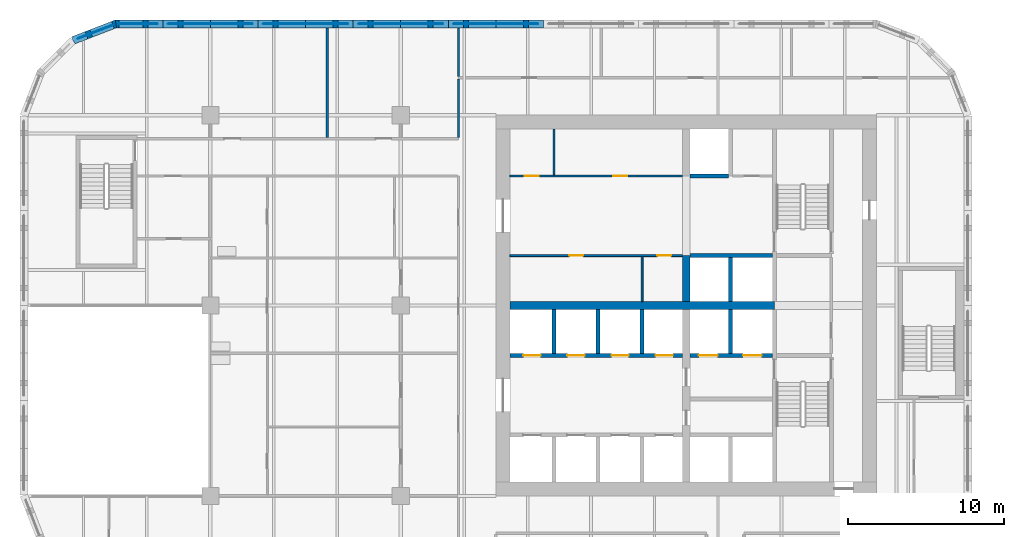
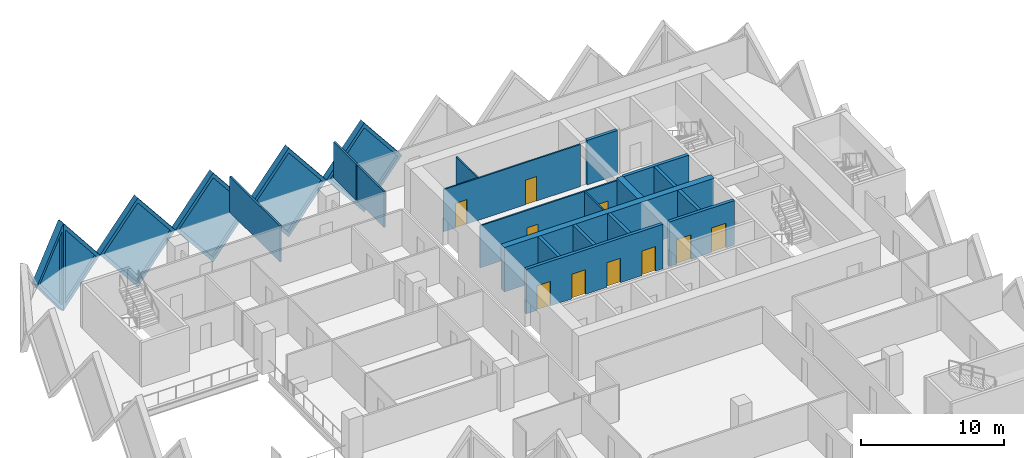
# One storey, part 9 of 20: 24 walls, 10 doors, 6 plates, 16 openings.
"""IFC4 building model written with IfcOpenShell, lengths in metres."""

from ifc_helpers import new_model, si_unit, direction, frame, frame_2d, origin, place, context, subcontext, project, spatial, polyline, rectangle, outline, extrude, faceted_brep, source, transform, mapped, material, layer, layer_set, type_object, element, fill, save


model = new_model("IFC4")

# Units and contexts
model_context = context("Model", 3, precision=1e-05, world=origin(), true_north=direction((0.0, 1.0)))
body_context = subcontext(model_context, "Body", "Model", "MODEL_VIEW")
ifc_project = project(units=[si_unit("LENGTHUNIT", "METRE"), si_unit("AREAUNIT", "SQUARE_METRE"), si_unit("VOLUMEUNIT", "CUBIC_METRE"), si_unit("PLANEANGLEUNIT", "RADIAN"), si_unit("MASSUNIT", "GRAM", prefix="KILO")], contexts=[model_context])

# Site, building, storey
site_placement = place(None, origin())
site = spatial("IfcSite", under=ifc_project, at=site_placement, CompositionType="ELEMENT")
building_placement = place(site_placement, origin())
building = spatial("IfcBuilding", under=site, at=building_placement, Name="Tessera Gate Towers", CompositionType="ELEMENT")
storey_placement = place(building_placement, frame((0.0, 0.0, 48.60009765625)))
storey = spatial("IfcBuildingStorey", under=building, at=storey_placement, Name="L11", CompositionType="ELEMENT", Elevation=48.60009765625)

# Wall, openings, doors
ifc_material_1 = material(Name="Concrete C40/50", Category="concrete")
ifc_layer_1 = layer(ifc_material_1, 0.25)
ifc_layer_set_1 = layer_set([ifc_layer_1], Name="CORE ENCLOSURE WALL 250")
wall_type_1 = type_object("IfcWallType", Name="CORE ENCLOSURE WALL 250", PredefinedType="SOLIDWALL", material=ifc_layer_set_1)
wall_1_placement = place(storey_placement, frame((42.449951171875, 33.39990234375, 0.0), z_axis=(0.0, 0.0, 1.0), x_axis=(-1.0, 0.0, 0.0)))
wall_1 = element("IfcWall", 1, at=wall_1_placement, inside=storey, type_object=wall_type_1, Name="L11 shaft and stair enclosure wall", PredefinedType="SOLIDWALL", context=body_context, shape_type="SweptSolid", body=[
    extrude(rectangle(XDim=11.050048828125, YDim=0.25, at=frame_2d((5.52490234375, 0.0))), origin(), (0.0, 0.0, 1.0), 3.7998046875),
])
shared_shape_1 = source(origin(), body_context, "Body", "SweptSolid", [
    extrude(rectangle(XDim=1.10009765625, YDim=2.10009765625, at=frame_2d((0.550048828125, 1.050048828125))), frame((0.0, 0.135009765625, 0.0), z_axis=(0.0, -1.0, 0.0), x_axis=(1.0, 0.0, 0.0)), (0.0, 0.0, 1.0), 0.27001953125),
])
opening_1_placement = place(wall_1_placement, frame((9.08740234375, 0.0, 0.0)))
opening_1 = element("IfcOpeningElement", 2, at=opening_1_placement, cuts=wall_1, Name="Opening LD-LR5", PredefinedType="OPENING", context=body_context, shape_type="MappedRepresentation", body=[
    mapped(shared_shape_1, transform((0.0, 0.0, 0.0), scale=1.0)),
])
opening_2_placement = place(wall_1_placement, frame((6.262451171875, 0.0, 0.0)))
opening_2 = element("IfcOpeningElement", 3, at=opening_2_placement, cuts=wall_1, Name="Opening LD-LR6", PredefinedType="OPENING", context=body_context, shape_type="MappedRepresentation", body=[
    mapped(shared_shape_1, transform((0.0, 0.0, 0.0), scale=1.0)),
])
opening_3_placement = place(wall_1_placement, frame((3.4375, 0.0, 0.0)))
opening_3 = element("IfcOpeningElement", 4, at=opening_3_placement, cuts=wall_1, Name="Opening LD-LR7", PredefinedType="OPENING", context=body_context, shape_type="MappedRepresentation", body=[
    mapped(shared_shape_1, transform((0.0, 0.0, 0.0), scale=1.0)),
])
opening_4_placement = place(wall_1_placement, frame((0.612548828125, 0.0, 0.0)))
opening_4 = element("IfcOpeningElement", 5, at=opening_4_placement, cuts=wall_1, Name="Opening LD-LR8", PredefinedType="OPENING", context=body_context, shape_type="MappedRepresentation", body=[
    mapped(shared_shape_1, transform((0.0, 0.0, 0.0), scale=1.0)),
])
ifc_material_2 = material(Name="Stainless steel", Category="steel")
door_type_1 = type_object("IfcDoorType", Name="CORE DOOR LD 1100x2100", OperationType="DOUBLE_DOOR_SLIDING", PredefinedType="DOOR", material=ifc_material_2)
shared_shape_2 = source(origin(), body_context, "Body", "SweptSolid", [
    extrude(rectangle(XDim=1.10009765625, YDim=2.10009765625, at=frame_2d((0.550048828125, 1.050048828125))), frame((0.0, 0.02490234375, 0.0), z_axis=(0.0, -1.0, 0.0), x_axis=(1.0, 0.0, 0.0)), (0.0, 0.0, 1.0), 0.050048828125),
])
door_1_placement = place(opening_1_placement, origin())
door_1 = element("IfcDoor", 6, at=door_1_placement, inside=storey, type_object=door_type_1, Name="Landing door LR5 L11", OperationType="DOUBLE_DOOR_SLIDING", OverallHeight=2.10009765625, OverallWidth=1.10009765625, PredefinedType="DOOR", context=body_context, shape_type="MappedRepresentation", body=[
    mapped(shared_shape_2, transform((0.0, 0.0, 0.0), scale=1.0)),
])
fill(opening_1, door_1)
door_2_placement = place(opening_2_placement, origin())
door_2 = element("IfcDoor", 7, at=door_2_placement, inside=storey, type_object=door_type_1, Name="Landing door LR6 L11", OperationType="DOUBLE_DOOR_SLIDING", OverallHeight=2.10009765625, OverallWidth=1.10009765625, PredefinedType="DOOR", context=body_context, shape_type="MappedRepresentation", body=[
    mapped(shared_shape_2, transform((0.0, 0.0, 0.0), scale=1.0)),
])
fill(opening_2, door_2)
door_3_placement = place(opening_3_placement, origin())
door_3 = element("IfcDoor", 8, at=door_3_placement, inside=storey, type_object=door_type_1, Name="Landing door LR7 L11", OperationType="DOUBLE_DOOR_SLIDING", OverallHeight=2.10009765625, OverallWidth=1.10009765625, PredefinedType="DOOR", context=body_context, shape_type="MappedRepresentation", body=[
    mapped(shared_shape_2, transform((0.0, 0.0, 0.0), scale=1.0)),
])
fill(opening_3, door_3)
door_4_placement = place(opening_4_placement, origin())
door_4 = element("IfcDoor", 9, at=door_4_placement, inside=storey, type_object=door_type_1, Name="Landing door LR8 L11", OperationType="DOUBLE_DOOR_SLIDING", OverallHeight=2.10009765625, OverallWidth=1.10009765625, PredefinedType="DOOR", context=body_context, shape_type="MappedRepresentation", body=[
    mapped(shared_shape_2, transform((0.0, 0.0, 0.0), scale=1.0)),
])
fill(opening_4, door_4)

wall_2_placement = place(storey_placement, frame((48.22509765625, 33.39990234375, 0.0), z_axis=(0.0, 0.0, 1.0), x_axis=(-1.0, 0.0, 0.0)))
wall_2 = element("IfcWall", 10, at=wall_2_placement, inside=storey, type_object=wall_type_1, Name="L11 shaft and stair enclosure wall", PredefinedType="SOLIDWALL", context=body_context, shape_type="SweptSolid", body=[
    extrude(rectangle(XDim=5.275146484375, YDim=0.25, at=frame_2d((2.6376953125, 0.0))), origin(), (0.0, 0.0, 1.0), 3.7998046875),
])
shared_shape_3 = source(origin(), body_context, "Body", "SweptSolid", [
    extrude(rectangle(XDim=1.199951171875, YDim=2.10009765625, at=frame_2d((0.60009765625, 1.050048828125))), frame((0.0, 0.135009765625, 0.0), z_axis=(0.0, -1.0, 0.0), x_axis=(1.0, 0.0, 0.0)), (0.0, 0.0, 1.0), 0.27001953125),
])
opening_5_placement = place(wall_2_placement, frame((3.512451171875, 0.0, 0.0)))
opening_5 = element("IfcOpeningElement", 11, at=opening_5_placement, cuts=wall_2, Name="Opening LD-FF1", PredefinedType="OPENING", context=body_context, shape_type="MappedRepresentation", body=[
    mapped(shared_shape_3, transform((0.0, 0.0, 0.0), scale=1.0)),
])
opening_6_placement = place(wall_2_placement, frame((0.6875, 0.0, 0.0)))
opening_6 = element("IfcOpeningElement", 12, at=opening_6_placement, cuts=wall_2, Name="Opening LD-FF2", PredefinedType="OPENING", context=body_context, shape_type="MappedRepresentation", body=[
    mapped(shared_shape_3, transform((0.0, 0.0, 0.0), scale=1.0)),
])
ifc_material_3 = material(Name="Stainless steel", Category="steel")
door_type_2 = type_object("IfcDoorType", Name="CORE DOOR LD1200 1200x2100", OperationType="DOUBLE_DOOR_SLIDING", PredefinedType="DOOR", material=ifc_material_3)
shared_shape_4 = source(origin(), body_context, "Body", "SweptSolid", [
    extrude(rectangle(XDim=1.199951171875, YDim=2.10009765625, at=frame_2d((0.60009765625, 1.050048828125))), frame((0.0, 0.02490234375, 0.0), z_axis=(0.0, -1.0, 0.0), x_axis=(1.0, 0.0, 0.0)), (0.0, 0.0, 1.0), 0.050048828125),
])
door_5_placement = place(opening_5_placement, origin())
door_5 = element("IfcDoor", 13, at=door_5_placement, inside=storey, type_object=door_type_2, Name="Landing door FF1 L11", OperationType="DOUBLE_DOOR_SLIDING", OverallHeight=2.10009765625, OverallWidth=1.199951171875, PredefinedType="DOOR", context=body_context, shape_type="MappedRepresentation", body=[
    mapped(shared_shape_4, transform((0.0, 0.0, 0.0), scale=1.0)),
])
fill(opening_5, door_5)
door_6_placement = place(opening_6_placement, origin())
door_6 = element("IfcDoor", 14, at=door_6_placement, inside=storey, type_object=door_type_2, Name="Landing door FF2 L11", OperationType="DOUBLE_DOOR_SLIDING", OverallHeight=2.10009765625, OverallWidth=1.199951171875, PredefinedType="DOOR", context=body_context, shape_type="MappedRepresentation", body=[
    mapped(shared_shape_4, transform((0.0, 0.0, 0.0), scale=1.0)),
])
fill(opening_6, door_6)

# Walls
wall_3_placement = place(storey_placement, frame((42.949951171875, 39.800048828125, 0.0), z_axis=(0.0, 0.0, 1.0), x_axis=(1.0, 0.0, 0.0)))
element("IfcWall", 15, at=wall_3_placement, inside=storey, type_object=wall_type_1, Name="L11 shaft and stair enclosure wall", PredefinedType="SOLIDWALL", context=body_context, shape_type="SweptSolid", body=[
    extrude(rectangle(XDim=5.275146484375, YDim=0.25, at=frame_2d((2.6376953125, 0.0))), origin(), (0.0, 0.0, 1.0), 3.7998046875),
])
wall_4_placement = place(storey_placement, frame((45.52490234375, 33.52490234375, 0.0), z_axis=(0.0, 0.0, 1.0), x_axis=(0.0, 1.0, 0.0)))
element("IfcWall", 16, at=wall_4_placement, inside=storey, type_object=wall_type_1, Name="L11 shaft and stair enclosure wall", PredefinedType="SOLIDWALL", context=body_context, shape_type="SweptSolid", body=[
    extrude(rectangle(XDim=2.8251953125, YDim=0.25, at=frame_2d((1.41259765625, 0.0))), origin(), (0.0, 0.0, 1.0), 3.7998046875),
])
wall_5_placement = place(storey_placement, frame((45.52490234375, 36.85009765625, 0.0), z_axis=(0.0, 0.0, 1.0), x_axis=(0.0, 1.0, 0.0)))
element("IfcWall", 17, at=wall_5_placement, inside=storey, type_object=wall_type_1, Name="L11 shaft and stair enclosure wall", PredefinedType="SOLIDWALL", context=body_context, shape_type="SweptSolid", body=[
    extrude(rectangle(XDim=2.824951171875, YDim=0.25, at=frame_2d((1.41259765625, 0.0))), origin(), (0.0, 0.0, 1.0), 3.7998046875),
])
for number, where, z_axis, x_axis, name in (
    (18, (34.22509765625, 33.52490234375, 0.0), (0.0, 0.0, 1.0), (0.0, 1.0, 0.0), "L11 shaft and stair enclosure wall"),
    (19, (37.050048828125, 33.52490234375, 0.0), (0.0, 0.0, 1.0), (0.0, 1.0, 0.0), "L11 shaft and stair enclosure wall"),
    (20, (39.875, 33.52490234375, 0.0), (0.0, 0.0, 1.0), (0.0, 1.0, 0.0), "L11 shaft and stair enclosure wall"),
):
    element("IfcWall", number, at=place(storey_placement, frame(where, z_axis=z_axis, x_axis=x_axis)), inside=storey, type_object=wall_type_1, Name=name, PredefinedType="SOLIDWALL", context=body_context, shape_type="SweptSolid", body=[
        extrude(rectangle(XDim=2.8251953125, YDim=0.25, at=frame_2d((1.41259765625, 0.0))), origin(), (0.0, 0.0, 1.0), 3.7998046875),
    ])
wall_6_placement = place(storey_placement, frame((42.949951171875, 44.89990234375, 0.0), z_axis=(0.0, 0.0, 1.0), x_axis=(1.0, 0.0, 0.0)))
element("IfcWall", 21, at=wall_6_placement, inside=storey, type_object=wall_type_1, Name="L11 shaft and stair enclosure wall", PredefinedType="SOLIDWALL", context=body_context, shape_type="SweptSolid", body=[
    extrude(rectangle(XDim=2.449951171875, YDim=0.25, at=frame_2d((1.22509765625, 0.0))), origin(), (0.0, 0.0, 1.0), 3.7998046875),
])

# Wall, openings, doors
ifc_material_4 = material(Name="Gypsum board on steel studs", Category="steel")
ifc_layer_2 = layer(ifc_material_4, 0.1201171875)
ifc_layer_set_2 = layer_set([ifc_layer_2], Name="CORE PARTITION 120")
wall_type_2 = type_object("IfcWallType", Name="CORE PARTITION 120", PredefinedType="PARTITIONING", material=ifc_layer_set_2)
wall_7_placement = place(storey_placement, frame((42.449951171875, 39.800048828125, 0.0), z_axis=(0.0, 0.0, 1.0), x_axis=(-1.0, 0.0, 0.0)))
wall_7 = element("IfcWall", 22, at=wall_7_placement, inside=storey, type_object=wall_type_2, Name="L11 core partition", PredefinedType="PARTITIONING", context=body_context, shape_type="SweptSolid", body=[
    extrude(rectangle(XDim=11.050048828125, YDim=0.1201171875, at=frame_2d((5.52490234375, 0.0))), origin(), (0.0, 0.0, 1.0), 3.599853515625),
])
shared_shape_5 = source(origin(), body_context, "Body", "SweptSolid", [
    extrude(rectangle(XDim=0.89990234375, YDim=2.10009765625, at=frame_2d((0.449951171875, 1.050048828125))), frame((0.0, 0.070068359375, 0.0), z_axis=(0.0, -1.0, 0.0), x_axis=(1.0, 0.0, 0.0)), (0.0, 0.0, 1.0), 0.14013671875),
])
opening_7_placement = place(wall_7_placement, frame((6.362548828125, 0.0, 0.0)))
opening_7 = element("IfcOpeningElement", 23, at=opening_7_placement, cuts=wall_7, Name="Opening RD-T1-08-07", PredefinedType="OPENING", context=body_context, shape_type="MappedRepresentation", body=[
    mapped(shared_shape_5, transform((0.0, 0.0, 0.0), scale=1.0)),
])
opening_8_placement = place(wall_7_placement, frame((0.71240234375, 0.0, 0.0)))
opening_8 = element("IfcOpeningElement", 24, at=opening_8_placement, cuts=wall_7, Name="Opening RD-T1-08-08", PredefinedType="OPENING", context=body_context, shape_type="MappedRepresentation", body=[
    mapped(shared_shape_5, transform((0.0, 0.0, 0.0), scale=1.0)),
])
ifc_material_5 = material(Name="Hollow steel fire door", Category="steel")
door_type_3 = type_object("IfcDoorType", Name="CORE DOOR RD 900x2100", OperationType="NOTDEFINED", PredefinedType="DOOR", material=ifc_material_5)
shared_shape_6 = source(origin(), body_context, "Body", "SweptSolid", [
    extrude(rectangle(XDim=0.89990234375, YDim=2.10009765625, at=frame_2d((0.449951171875, 1.050048828125))), frame((0.0, 0.02490234375, 0.0), z_axis=(0.0, -1.0, 0.0), x_axis=(1.0, 0.0, 0.0)), (0.0, 0.0, 1.0), 0.050048828125),
])
door_7_placement = place(opening_7_placement, origin())
door_7 = element("IfcDoor", 25, at=door_7_placement, inside=storey, type_object=door_type_3, Name="Core room door", OperationType="SINGLE_SWING_RIGHT", OverallHeight=2.10009765625, OverallWidth=0.89990234375, PredefinedType="DOOR", context=body_context, shape_type="MappedRepresentation", body=[
    mapped(shared_shape_6, transform((0.0, 0.0, 0.0), scale=1.0)),
])
fill(opening_7, door_7)
door_8_placement = place(opening_8_placement, origin())
door_8 = element("IfcDoor", 26, at=door_8_placement, inside=storey, type_object=door_type_3, Name="Core room door", OperationType="SINGLE_SWING_LEFT", OverallHeight=2.10009765625, OverallWidth=0.89990234375, PredefinedType="DOOR", context=body_context, shape_type="MappedRepresentation", body=[
    mapped(shared_shape_6, transform((0.0, 0.0, 0.0), scale=1.0)),
])
fill(opening_8, door_8)

wall_8_placement = place(storey_placement, frame((31.39990234375, 44.89990234375, 0.0), z_axis=(0.0, 0.0, 1.0), x_axis=(1.0, 0.0, 0.0)))
wall_8 = element("IfcWall", 27, at=wall_8_placement, inside=storey, type_object=wall_type_2, Name="L11 core partition", PredefinedType="PARTITIONING", context=body_context, shape_type="SweptSolid", body=[
    extrude(rectangle(XDim=11.050048828125, YDim=0.1201171875, at=frame_2d((5.52490234375, 0.0))), origin(), (0.0, 0.0, 1.0), 3.599853515625),
])
opening_9_placement = place(wall_8_placement, frame((0.96240234375, 0.0, 0.0)))
opening_9 = element("IfcOpeningElement", 28, at=opening_9_placement, cuts=wall_8, Name="Opening RD-T1-08-09", PredefinedType="OPENING", context=body_context, shape_type="MappedRepresentation", body=[
    mapped(shared_shape_5, transform((0.0, 0.0, 0.0), scale=1.0)),
])
opening_10_placement = place(wall_8_placement, frame((6.612548828125, 0.0, 0.0)))
opening_10 = element("IfcOpeningElement", 29, at=opening_10_placement, cuts=wall_8, Name="Opening RD-T1-08-10", PredefinedType="OPENING", context=body_context, shape_type="MappedRepresentation", body=[
    mapped(shared_shape_5, transform((0.0, 0.0, 0.0), scale=1.0)),
])
door_9_placement = place(opening_9_placement, origin())
door_9 = element("IfcDoor", 30, at=door_9_placement, inside=storey, type_object=door_type_3, Name="Core room door", OperationType="SINGLE_SWING_LEFT", OverallHeight=2.10009765625, OverallWidth=0.89990234375, PredefinedType="DOOR", context=body_context, shape_type="MappedRepresentation", body=[
    mapped(shared_shape_6, transform((0.0, 0.0, 0.0), scale=1.0)),
])
fill(opening_9, door_9)
door_10_placement = place(opening_10_placement, origin())
door_10 = element("IfcDoor", 31, at=door_10_placement, inside=storey, type_object=door_type_3, Name="Core room door", OperationType="SINGLE_SWING_RIGHT", OverallHeight=2.10009765625, OverallWidth=0.89990234375, PredefinedType="DOOR", context=body_context, shape_type="MappedRepresentation", body=[
    mapped(shared_shape_6, transform((0.0, 0.0, 0.0), scale=1.0)),
])
fill(opening_10, door_10)

# Walls
wall_9_placement = place(storey_placement, frame((39.875, 36.85009765625, 0.0), z_axis=(0.0, 0.0, 1.0), x_axis=(0.0, 1.0, 0.0)))
element("IfcWall", 32, at=wall_9_placement, inside=storey, type_object=wall_type_2, Name="L11 core partition", PredefinedType="PARTITIONING", context=body_context, shape_type="SweptSolid", body=[
    extrude(rectangle(XDim=2.889892578125, YDim=0.1201171875, at=frame_2d((1.44482421875, 0.0))), origin(), (0.0, 0.0, 1.0), 3.599853515625),
])
wall_10_placement = place(storey_placement, frame((34.22509765625, 44.9599609375, 0.0), z_axis=(0.0, 0.0, 1.0), x_axis=(0.0, 1.0, 0.0)))
element("IfcWall", 33, at=wall_10_placement, inside=storey, type_object=wall_type_2, Name="L11 core partition", PredefinedType="PARTITIONING", context=body_context, shape_type="SweptSolid", body=[
    extrude(rectangle(XDim=2.93994140625, YDim=0.1201171875, at=frame_2d((1.469970703125, 0.0))), origin(), (0.0, 0.0, 1.0), 3.599853515625),
])
ifc_material_6 = material(Name="Concrete C70/85", Category="concrete")
ifc_layer_3 = layer(ifc_material_6, 0.5)
ifc_layer_set_3 = layer_set([ifc_layer_3], Name="CORE SPINE WALL 500 C70/85")
wall_type_3 = type_object("IfcWallType", Name="CORE SPINE WALL 500 C70/85", PredefinedType="SHEAR", material=ifc_layer_set_3)
wall_11_placement = place(storey_placement, frame((31.39990234375, 36.60009765625, 0.0), z_axis=(0.0, 0.0, 1.0), x_axis=(1.0, 0.0, 0.0)))
element("IfcWall", 34, at=wall_11_placement, inside=storey, type_object=wall_type_3, Name="Core wall spine L11", PredefinedType="SHEAR", context=body_context, shape_type="SweptSolid", body=[
    extrude(rectangle(XDim=16.9501953125, YDim=0.5, at=frame_2d((8.47509765625, 0.0))), origin(), (0.0, 0.0, 1.0), 3.7998046875),
])
wall_12_placement = place(storey_placement, frame((42.699951171875, 36.85009765625, 0.0), z_axis=(0.0, 0.0, 1.0), x_axis=(0.0, 1.0, 0.0)))
element("IfcWall", 35, at=wall_12_placement, inside=storey, type_object=wall_type_3, Name="Core wall spine L11", PredefinedType="SHEAR", context=body_context, shape_type="SweptSolid", body=[
    extrude(rectangle(XDim=2.949951171875, YDim=0.5, at=frame_2d((1.47509765625, 0.0))), origin(), (0.0, 0.0, 1.0), 3.7998046875),
])
ifc_material_7 = material(Name="Gypsum board on steel studs, mineral wool", Category="steel")
ifc_layer_4 = layer(ifc_material_7, 0.14990234375)
ifc_layer_set_4 = layer_set([ifc_layer_4], Name="CORRIDOR WALL 150")
wall_type_4 = type_object("IfcWallType", Name="CORRIDOR WALL 150", PredefinedType="PARTITIONING", material=ifc_layer_set_4)
wall_13_placement = place(storey_placement, frame((28.10009765625, 47.3759765625, 0.0), z_axis=(0.0, 0.0, 1.0), x_axis=(0.0, 1.0, 0.0)))
element("IfcWall", 36, at=wall_13_placement, inside=storey, type_object=wall_type_4, Name="T1-L11-PW-051", PredefinedType="PARTITIONING", context=body_context, shape_type="SweptSolid", body=[
    extrude(rectangle(XDim=3.748046875, YDim=0.14990234375, at=frame_2d((1.8740234375, 0.0))), origin(), (0.0, 0.0, 1.0), 3.06689453125),
])
ifc_material_8 = material(Name="Gypsum board on steel studs, mineral wool", Category="steel")
ifc_layer_5 = layer(ifc_material_8, 0.14990234375)
ifc_layer_set_5 = layer_set([ifc_layer_5], Name="TENANCY WALL 150")
wall_type_5 = type_object("IfcWallType", Name="TENANCY WALL 150", PredefinedType="PARTITIONING", material=ifc_layer_set_5)
wall_14_placement = place(storey_placement, frame((19.699951171875, 47.3759765625, 0.0), z_axis=(0.0, 0.0, 1.0), x_axis=(0.0, 1.0, 0.0)))
element("IfcWall", 37, at=wall_14_placement, inside=storey, type_object=wall_type_5, Name="T1-L11-PW-050", PredefinedType="PARTITIONING", context=body_context, shape_type="SweptSolid", body=[
    extrude(rectangle(XDim=7.02392578125, YDim=0.14990234375, at=frame_2d((3.511962890625, 0.0))), origin(), (0.0, 0.0, 1.0), 3.06689453125),
])
wall_15_placement = place(storey_placement, frame((28.10009765625, 51.27587890625, 0.0), z_axis=(0.0, 0.0, 1.0), x_axis=(0.0, 1.0, 0.0)))
element("IfcWall", 38, at=wall_15_placement, inside=storey, type_object=wall_type_5, Name="T1-L11-PW-055", PredefinedType="PARTITIONING", context=body_context, shape_type="SweptSolid", body=[
    extrude(rectangle(XDim=3.1240234375, YDim=0.14990234375, at=frame_2d((1.56201171875, 0.0))), origin(), (0.0, 0.0, 1.0), 3.06689453125),
])

# Wall, opening, plate
ifc_material_9 = material(Name="Precast concrete C60/75 white", Category="concrete")
ifc_layer_6 = layer(ifc_material_9, 0.5)
ifc_layer_set_6 = layer_set([ifc_layer_6], Name="TS1 tessera")
wall_type_6 = type_object("IfcWallType", Name="TS1 tessera", PredefinedType="SOLIDWALL", material=ifc_layer_set_6)
shared_shape_7 = source(origin(), body_context, "Body", "Brep", [
    faceted_brep([(3.050048828125, -0.25, 0.0), (6.099853515625, -0.25, 3.7998046875), (6.099853515625, -0.25, 3.80029296875), (3.050048828125, -0.25, 7.599853515625), (0.0, -0.25, 3.800048828125), (0.0, 0.25, 3.800048828125), (3.050048828125, 0.25, 7.599853515625), (6.099853515625, 0.25, 3.80029296875), (6.099853515625, 0.25, 3.7998046875), (3.050048828125, 0.25, 0.0)], [[[0, 1, 2, 3, 4]], [[5, 6, 7, 8, 9]], [[9, 8, 1, 0]], [[7, 6, 3, 2]], [[6, 5, 4, 3]], [[5, 9, 0, 4]], [[1, 8, 7, 2]]]),
])
wall_16_placement = place(storey_placement, frame((27.449951171875, 54.64990234375, -3.800048828125), z_axis=(0.0, 0.0, 1.0), x_axis=(-1.0, 0.0, 0.0)))
wall_16 = element("IfcWall", 39, at=wall_16_placement, inside=storey, type_object=wall_type_6, Name="Precast tessera T1 TS1-0152", PredefinedType="SOLIDWALL", context=body_context, shape_type="MappedRepresentation", body=[
    mapped(shared_shape_7, transform((0.0, 0.0, 0.0), scale=1.0)),
])
shared_shape_8 = source(origin(), body_context, "Body", "SweptSolid", [
    extrude(outline(polyline([(3.050048828125, 0.3994140625), (5.779541015625, 3.800048828125), (3.050048828125, 7.200439453125), (0.320556640625, 3.800048828125), (3.050048828125, 0.3994140625)])), frame((0.0, 0.260009765625, 0.0), z_axis=(0.0, -1.0, 0.0), x_axis=(1.0, 0.0, 0.0)), (0.0, 0.0, 1.0), 0.52001953125),
])
opening_11_placement = place(wall_16_placement, origin())
opening_11 = element("IfcOpeningElement", 40, at=opening_11_placement, cuts=wall_16, Name="Opening T1-PL2-0306", PredefinedType="OPENING", context=body_context, shape_type="MappedRepresentation", body=[
    mapped(shared_shape_8, transform((0.0, 0.0, 0.0), scale=1.0)),
])
ifc_material_10 = material(Name="Low-e laminated glass", Category="glass")
ifc_layer_7 = layer(ifc_material_10, 0.06005859375)
ifc_layer_set_7 = layer_set([ifc_layer_7], Name="PL2 rhombic pane")
plate_type = type_object("IfcPlateType", Name="PL2 rhombic pane", PredefinedType="SHEET", material=ifc_layer_set_7)
shared_shape_9 = source(origin(), body_context, "Body", "SweptSolid", [
    extrude(outline(polyline([(3.050048828125, 0.3994140625), (5.779541015625, 3.800048828125), (3.050048828125, 7.200439453125), (0.320556640625, 3.800048828125), (3.050048828125, 0.3994140625)])), frame((0.0, 0.030029296875, 0.0), z_axis=(0.0, -1.0, 0.0), x_axis=(1.0, 0.0, 0.0)), (0.0, 0.0, 1.0), 0.06005859375),
])
plate_1_placement = place(opening_11_placement, origin())
plate_1 = element("IfcPlate", 41, at=plate_1_placement, inside=storey, type_object=plate_type, Name="Glass pane T1 PL2-0306", PredefinedType="SHEET", context=body_context, shape_type="MappedRepresentation", body=[
    mapped(shared_shape_9, transform((0.0, 0.0, 0.0), scale=1.0)),
])
fill(opening_11, plate_1)

shared_shape_10 = source(origin(), body_context, "Body", "SweptSolid", [
    extrude(outline(polyline([(3.050048828125, 0.0), (6.10009765625, 3.800048828125), (3.050048828125, 7.599853515625), (0.0, 3.800048828125), (3.050048828125, 0.0)])), frame((0.0, 0.25, 0.0), z_axis=(0.0, -1.0, 0.0), x_axis=(1.0, 0.0, 0.0)), (0.0, 0.0, 1.0), 0.5),
])
wall_17_placement = place(storey_placement, frame((33.550048828125, 54.64990234375, -3.800048828125), z_axis=(0.0, 0.0, 1.0), x_axis=(-1.0, 0.0, 0.0)))
wall_17 = element("IfcWall", 42, at=wall_17_placement, inside=storey, type_object=wall_type_6, Name="Precast tessera T1 TS1-0151", PredefinedType="SOLIDWALL", context=body_context, shape_type="MappedRepresentation", body=[
    mapped(shared_shape_10, transform((0.0, 0.0, 0.0), scale=1.0)),
])
opening_12_placement = place(wall_17_placement, origin())
opening_12 = element("IfcOpeningElement", 43, at=opening_12_placement, cuts=wall_17, Name="Opening T1-PL2-0305", PredefinedType="OPENING", context=body_context, shape_type="MappedRepresentation", body=[
    mapped(shared_shape_8, transform((0.0, 0.0, 0.0), scale=1.0)),
])
plate_2_placement = place(opening_12_placement, origin())
plate_2 = element("IfcPlate", 44, at=plate_2_placement, inside=storey, type_object=plate_type, Name="Glass pane T1 PL2-0305", PredefinedType="SHEET", context=body_context, shape_type="MappedRepresentation", body=[
    mapped(shared_shape_9, transform((0.0, 0.0, 0.0), scale=1.0)),
])
fill(opening_12, plate_2)

wall_18_placement = place(storey_placement, frame((21.35009765625, 54.64990234375, -3.800048828125), z_axis=(0.0, 0.0, 1.0), x_axis=(-1.0, 0.0, 0.0)))
wall_18 = element("IfcWall", 45, at=wall_18_placement, inside=storey, type_object=wall_type_6, Name="Precast tessera T1 TS1-0153", PredefinedType="SOLIDWALL", context=body_context, shape_type="MappedRepresentation", body=[
    mapped(shared_shape_10, transform((0.0, 0.0, 0.0), scale=1.0)),
])
opening_13_placement = place(wall_18_placement, origin())
opening_13 = element("IfcOpeningElement", 46, at=opening_13_placement, cuts=wall_18, Name="Opening T1-PL2-0307", PredefinedType="OPENING", context=body_context, shape_type="MappedRepresentation", body=[
    mapped(shared_shape_8, transform((0.0, 0.0, 0.0), scale=1.0)),
])
plate_3_placement = place(opening_13_placement, origin())
plate_3 = element("IfcPlate", 47, at=plate_3_placement, inside=storey, type_object=plate_type, Name="Glass pane T1 PL2-0307", PredefinedType="SHEET", context=body_context, shape_type="MappedRepresentation", body=[
    mapped(shared_shape_9, transform((0.0, 0.0, 0.0), scale=1.0)),
])
fill(opening_13, plate_3)

wall_19_placement = place(storey_placement, frame((15.25, 54.64990234375, -3.800048828125), z_axis=(0.0, 0.0, 1.0), x_axis=(-1.0, 0.0, 0.0)))
wall_19 = element("IfcWall", 48, at=wall_19_placement, inside=storey, type_object=wall_type_6, Name="Precast tessera T1 TS1-0154", PredefinedType="SOLIDWALL", context=body_context, shape_type="MappedRepresentation", body=[
    mapped(shared_shape_10, transform((0.0, 0.0, 0.0), scale=1.0)),
])
opening_14_placement = place(wall_19_placement, origin())
opening_14 = element("IfcOpeningElement", 49, at=opening_14_placement, cuts=wall_19, Name="Opening T1-PL2-0308", PredefinedType="OPENING", context=body_context, shape_type="MappedRepresentation", body=[
    mapped(shared_shape_8, transform((0.0, 0.0, 0.0), scale=1.0)),
])
plate_4_placement = place(opening_14_placement, origin())
plate_4 = element("IfcPlate", 50, at=plate_4_placement, inside=storey, type_object=plate_type, Name="Glass pane T1 PL2-0308", PredefinedType="SHEET", context=body_context, shape_type="MappedRepresentation", body=[
    mapped(shared_shape_9, transform((0.0, 0.0, 0.0), scale=1.0)),
])
fill(opening_14, plate_4)

ifc_material_11 = material(Name="Precast concrete C60/75 white", Category="concrete")
ifc_layer_8 = layer(ifc_material_11, 0.5)
ifc_layer_set_8 = layer_set([ifc_layer_8], Name="TS3 corner tessera")
wall_type_7 = type_object("IfcWallType", Name="TS3 corner tessera", PredefinedType="SOLIDWALL", material=ifc_layer_set_8)
shared_shape_11 = source(origin(), body_context, "Body", "Brep", [
    faceted_brep([(3.00341796875, -0.25, 0.0), (3.050048828125, -0.25, 0.06005859375), (3.050048828125, -0.25, 7.539794921875), (3.00341796875, -0.25, 7.599853515625), (0.0, -0.25, 3.800048828125), (0.0, 0.25, 3.800048828125), (2.956787109375, 0.25, 7.541015625), (2.956787109375, 0.25, 0.058837890625), (3.00341796875, 0.000244140625, 0.0), (3.00341796875, 0.000244140625, 7.599853515625)], [[[0, 1, 2, 3, 4]], [[5, 6, 7]], [[1, 0, 8]], [[9, 3, 2]], [[6, 5, 4, 3, 9]], [[5, 7, 8, 0, 4]], [[1, 8, 7, 6, 9, 2]]]),
])
wall_20_placement = place(storey_placement, frame((9.14990234375, 54.64990234375, -3.800048828125), z_axis=(0.0, 0.0, 1.0), x_axis=(-1.0, 0.0, 0.0)))
wall_20 = element("IfcWall", 51, at=wall_20_placement, inside=storey, type_object=wall_type_7, Name="Precast corner tessera T1 TS3-0227", PredefinedType="SOLIDWALL", context=body_context, shape_type="MappedRepresentation", body=[
    mapped(shared_shape_11, transform((0.0, 0.0, 0.0), scale=1.0)),
])
shared_shape_12 = source(origin(), body_context, "Body", "SweptSolid", [
    extrude(outline(polyline([(2.803466796875, 6.94384765625), (0.318603515625, 3.800048828125), (2.803466796875, 0.65625), (2.803466796875, 6.94384765625)])), frame((0.0, 0.260009765625, 0.0), z_axis=(0.0, -1.0, 0.0), x_axis=(1.0, 0.0, 0.0)), (0.0, 0.0, 1.0), 0.52001953125),
])
opening_15_placement = place(wall_20_placement, origin())
opening_15 = element("IfcOpeningElement", 52, at=opening_15_placement, cuts=wall_20, Name="Opening T1-PL2-0309", PredefinedType="OPENING", context=body_context, shape_type="MappedRepresentation", body=[
    mapped(shared_shape_12, transform((0.0, 0.0, 0.0), scale=1.0)),
])
shared_shape_13 = source(origin(), body_context, "Body", "SweptSolid", [
    extrude(outline(polyline([(2.803466796875, 6.94384765625), (0.318603515625, 3.800048828125), (2.803466796875, 0.65625), (2.803466796875, 6.94384765625)])), frame((0.0, 0.030029296875, 0.0), z_axis=(0.0, -1.0, 0.0), x_axis=(1.0, 0.0, 0.0)), (0.0, 0.0, 1.0), 0.06005859375),
])
plate_5_placement = place(opening_15_placement, origin())
plate_5 = element("IfcPlate", 53, at=plate_5_placement, inside=storey, type_object=plate_type, Name="Glass pane T1 PL2-0309", PredefinedType="SHEET", context=body_context, shape_type="MappedRepresentation", body=[
    mapped(shared_shape_13, transform((0.0, 0.0, 0.0), scale=1.0)),
])
fill(opening_15, plate_5)

shared_shape_14 = source(origin(), body_context, "Body", "Brep", [
    faceted_brep([(0.046630859375, -0.25, 0.0), (2.9970703125, -0.25, 3.800048828125), (0.046630859375, -0.25, 7.599853515625), (0.0, -0.25, 7.541015625), (0.0, -0.25, 0.058837890625), (0.09326171875, 0.25, 7.539794921875), (2.9443359375, 0.25, 3.8681640625), (2.9443359375, 0.25, 3.73193359375), (0.09326171875, 0.25, 0.06005859375), (2.9970703125, 0.00048828125, 3.800048828125), (0.046630859375, 0.0, 0.0), (0.046630859375, 0.0, 7.599853515625)], [[[0, 1, 2, 3, 4]], [[5, 6, 7, 8]], [[8, 7, 9, 1, 0, 10]], [[6, 5, 11, 2, 1, 9]], [[3, 2, 11]], [[10, 0, 4]], [[8, 10, 4, 3, 11, 5]], [[7, 6, 9]]]),
])
wall_21_placement = place(storey_placement, frame((6.18994140625, 54.666748046875, -3.800048828125), z_axis=(0.0, 0.0, 1.0), x_axis=(-0.932990326376, -0.359901446078, 0.0)))
wall_21 = element("IfcWall", 54, at=wall_21_placement, inside=storey, type_object=wall_type_7, Name="Precast corner tessera T1 TS3-0228", PredefinedType="SOLIDWALL", context=body_context, shape_type="MappedRepresentation", body=[
    mapped(shared_shape_14, transform((0.0, 0.0, 0.0), scale=1.0)),
])
shared_shape_15 = source(origin(), body_context, "Body", "SweptSolid", [
    extrude(outline(polyline([(0.24658203125, 0.665283203125), (2.6806640625, 3.800048828125), (0.24658203125, 6.934814453125), (0.24658203125, 0.665283203125)])), frame((0.0, 0.260009765625, 0.0), z_axis=(0.0, -1.0, 0.0), x_axis=(1.0, 0.0, 0.0)), (0.0, 0.0, 1.0), 0.52001953125),
])
opening_16_placement = place(wall_21_placement, origin())
opening_16 = element("IfcOpeningElement", 55, at=opening_16_placement, cuts=wall_21, Name="Opening T1-PL2-0310", PredefinedType="OPENING", context=body_context, shape_type="MappedRepresentation", body=[
    mapped(shared_shape_15, transform((0.0, 0.0, 0.0), scale=1.0)),
])
shared_shape_16 = source(origin(), body_context, "Body", "SweptSolid", [
    extrude(outline(polyline([(0.24658203125, 0.665283203125), (2.6806640625, 3.800048828125), (0.24658203125, 6.934814453125), (0.24658203125, 0.665283203125)])), frame((0.0, 0.030029296875, 0.0), z_axis=(0.0, -1.0, 0.0), x_axis=(1.0, 0.0, 0.0)), (0.0, 0.0, 1.0), 0.06005859375),
])
plate_6_placement = place(opening_16_placement, origin())
plate_6 = element("IfcPlate", 56, at=plate_6_placement, inside=storey, type_object=plate_type, Name="Glass pane T1 PL2-0310", PredefinedType="SHEET", context=body_context, shape_type="MappedRepresentation", body=[
    mapped(shared_shape_16, transform((0.0, 0.0, 0.0), scale=1.0)),
])
fill(opening_16, plate_6)

save(model, "model.ifc")
